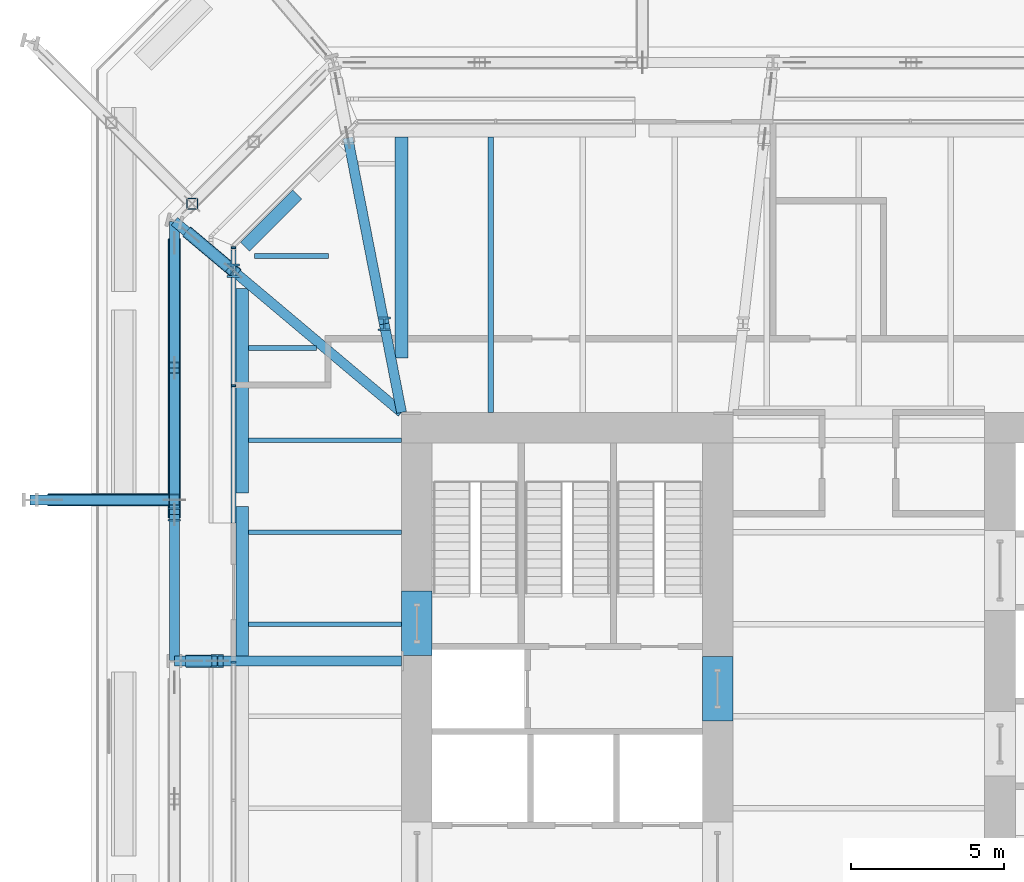
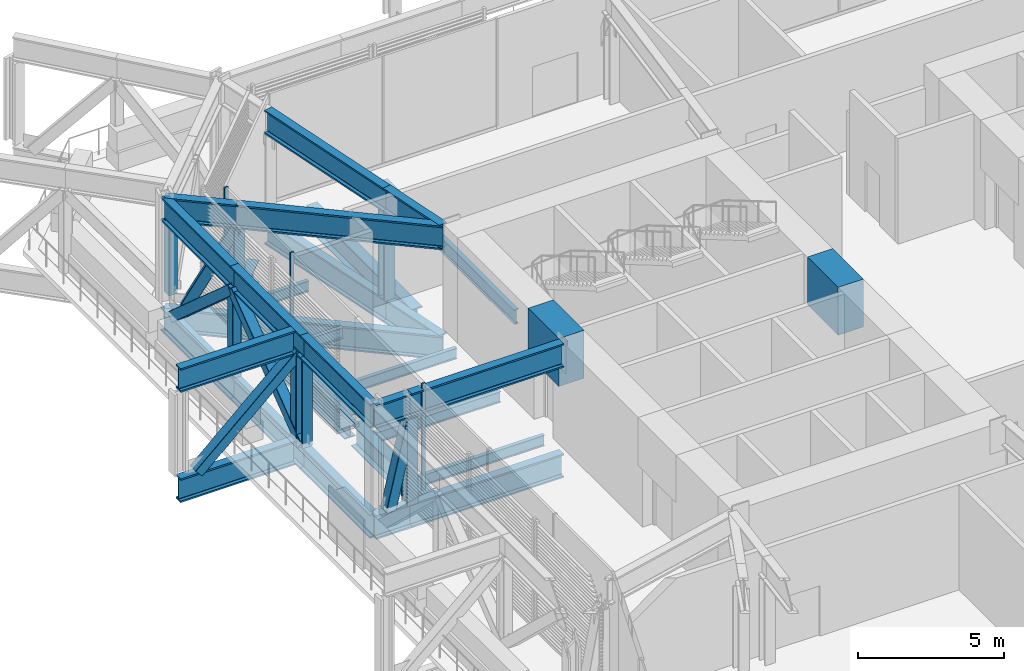
# One storey, part 11 of 29: 32 beams, 16 members, 1 element without a shape of its own.
"""IFC4 building model written with IfcOpenShell, lengths in metres."""

from ifc_helpers import new_model, si_unit, direction, frame, origin, origin_2d, place, context, subcontext, project, spatial, rectangle, hollow_rectangle, i_section, extrude, material, layer, layer_set, material_profile, profile_set, type_object, element, aggregate, save


model = new_model("IFC4")

# Units and contexts
model_context = context("Model", 3, precision=1e-05, world=origin(), true_north=direction((0.0, 1.0)))
body_context = subcontext(model_context, "Body", "Model", "MODEL_VIEW")
ifc_project = project(units=[si_unit("LENGTHUNIT", "METRE"), si_unit("AREAUNIT", "SQUARE_METRE"), si_unit("VOLUMEUNIT", "CUBIC_METRE"), si_unit("PLANEANGLEUNIT", "RADIAN"), si_unit("MASSUNIT", "GRAM", prefix="KILO")], contexts=[model_context])

# Site, building, storey
site_placement = place(None, origin())
site = spatial("IfcSite", under=ifc_project, at=site_placement, CompositionType="ELEMENT")
building_placement = place(site_placement, origin())
building = spatial("IfcBuilding", under=site, at=building_placement, Name="Millrace Tower", CompositionType="ELEMENT")
storey_placement = place(building_placement, frame((0.0, 0.0, 68.60009765625)))
storey = spatial("IfcBuildingStorey", under=building, at=storey_placement, Name="L15", CompositionType="ELEMENT", Elevation=68.60009765625)

# Curtain wall, members
ifc_material_1 = material(Name="Aluminium and glass", Category="aluminium")
ifc_layer = layer(ifc_material_1, 0.14990234375)
ifc_layer_set = layer_set([ifc_layer], Name="Aluminium and glass")
curtain_wall_type = type_object("IfcCurtainWallType", Name="CW-5 truss and plant storey louvred infill", PredefinedType="NOTDEFINED", material=ifc_layer_set)
curtain_wall_placement = place(storey_placement, origin())
curtain_wall = element("IfcCurtainWall", 1, at=curtain_wall_placement, inside=storey, type_object=curtain_wall_type, Name="Curtain wall B-F08 L15", PredefinedType="NOTDEFINED")
ifc_material_2 = material(Name="Aluminium", Category="aluminium")
ifc_material_profile_1 = material_profile(ifc_material_2, rectangle(XDim=0.06494140625, YDim=0.14990234375, at=origin_2d()))
ifc_profile_set_1 = profile_set([ifc_material_profile_1], Name="Aluminium")
member_type_1 = type_object("IfcMemberType", Name="CW-5 truss and plant storey louvred infill mullion", PredefinedType="MULLION", material=ifc_profile_set_1)
member_1_placement = place(storey_placement, frame((-20.375, 15.267578125, 0.139892578125), z_axis=(0.0, 0.0, 1.0), x_axis=(0.0, -1.0, 0.0)))
member_1 = element("IfcMember", 2, at=member_1_placement, type_object=member_type_1, Name="CW5 mullion B-F08.1", PredefinedType="MULLION", context=body_context, shape_type="SweptSolid", body=[
    extrude(rectangle(XDim=0.06494140625, YDim=0.14990234375, at=origin_2d()), origin(), (0.0, 0.0, 1.0), 4.4599609375),
])
member_2_placement = place(storey_placement, frame((-20.375, 10.767578125, 0.139892578125), z_axis=(0.0, 0.0, 1.0), x_axis=(0.0, -1.0, 0.0)))
member_2 = element("IfcMember", 3, at=member_2_placement, type_object=member_type_1, Name="CW5 mullion B-F08.2", PredefinedType="MULLION", context=body_context, shape_type="SweptSolid", body=[
    extrude(rectangle(XDim=0.06494140625, YDim=0.14990234375, at=origin_2d()), origin(), (0.0, 0.0, 1.0), 4.4599609375),
])
member_3_placement = place(storey_placement, frame((-20.375, 1.767578125, 0.139892578125), z_axis=(0.0, 0.0, 1.0), x_axis=(0.0, -1.0, 0.0)))
member_3 = element("IfcMember", 4, at=member_3_placement, type_object=member_type_1, Name="CW5 mullion B-F08.4", PredefinedType="MULLION", context=body_context, shape_type="SweptSolid", body=[
    extrude(rectangle(XDim=0.06494140625, YDim=0.14990234375, at=origin_2d()), origin(), (0.0, 0.0, 1.0), 4.4599609375),
])
ifc_material_3 = material(Name="Aluminium", Category="aluminium")
ifc_material_profile_2 = material_profile(ifc_material_3, rectangle(XDim=0.14990234375, YDim=0.139892578125, at=origin_2d()))
ifc_profile_set_2 = profile_set([ifc_material_profile_2], Name="Aluminium")
member_type_2 = type_object("IfcMemberType", Name="CW-5 truss and plant storey louvred infill transom", PredefinedType="USERDEFINED", material=ifc_profile_set_2)
member_4_placement = place(storey_placement, frame((-20.375, 15.199951171875, 0.06982421875), z_axis=(0.0, -1.0, 0.0), x_axis=(1.0, 0.0, 0.0)))
member_4 = element("IfcMember", 5, at=member_4_placement, type_object=member_type_2, Name="CW5 transom B-F08.1", ObjectType="TRANSOM", PredefinedType="USERDEFINED", context=body_context, shape_type="SweptSolid", body=[
    extrude(rectangle(XDim=0.14990234375, YDim=0.139892578125, at=origin_2d()), origin(), (0.0, 0.0, 1.0), 8.89990234375),
])
aggregate(curtain_wall, [member_1, member_2, member_3, member_4])

# Beams
ifc_material_4 = material(Name="Concrete C80", Category="concrete")
ifc_material_profile_3 = material_profile(ifc_material_4, rectangle(XDim=1.0, YDim=2.0, at=origin_2d()))
ifc_profile_set_3 = profile_set([ifc_material_profile_3], Name="Concrete C80")
beam_type_1 = type_object("IfcBeamType", Name="Coupling beam 1000 x 2000 Concrete C80, 1300 opening", PredefinedType="BEAM", material=ifc_profile_set_3)
beam_1_placement = place(storey_placement, frame((-14.39990234375, 1.97998046875, 3.39990234375), z_axis=(0.0, 1.0, 0.0), x_axis=(-1.0, 0.0, 0.0)))
element("IfcBeam", 6, at=beam_1_placement, inside=storey, type_object=beam_type_1, Name="Coupling beam W L15", PredefinedType="BEAM", context=body_context, shape_type="SweptSolid", body=[
    extrude(rectangle(XDim=1.0, YDim=2.0, at=origin_2d()), origin(), (0.0, 0.0, 1.0), 2.10009765625),
])
beam_2_placement = place(storey_placement, frame((-4.60009765625, -0.14990234375, 3.39990234375), z_axis=(0.0, 1.0, 0.0), x_axis=(-1.0, 0.0, 0.0)))
element("IfcBeam", 7, at=beam_2_placement, inside=storey, type_object=beam_type_1, Name="Coupling beam W L15", PredefinedType="BEAM", context=body_context, shape_type="SweptSolid", body=[
    extrude(rectangle(XDim=1.0, YDim=2.0, at=origin_2d()), origin(), (0.0, 0.0, 1.0), 2.099853515625),
])
ifc_material_5 = material(Name="Steel ASTM A992 Grade 50", Category="steel")
ifc_material_profile_4 = material_profile(ifc_material_5, i_section(OverallWidth=0.15234375, OverallDepth=0.449462890625, WebThickness=0.007568359375, FlangeThickness=0.0107421875, FilletRadius=0.01025390625, at=origin_2d()))
ifc_profile_set_4 = profile_set([ifc_material_profile_4], Name="Steel ASTM A992 Grade 50")
beam_type_2 = type_object("IfcBeamType", Name="Floor beam W18x35", PredefinedType="JOIST", material=ifc_profile_set_4)
for number, where, z_axis, x_axis, name in (
    (8, (-19.880859375, 3.0, -0.4248046875), (1.0, 0.0, 0.0), (0.0, 1.0, 0.0), "BM-B-L15-S1-S026"),
    (9, (-19.880859375, 6.0, -0.4248046875), (1.0, 0.0, 0.0), (0.0, 1.0, 0.0), "BM-B-L15-S1-S029"),
    (10, (-19.880859375, 9.0, -0.4248046875), (1.0, 0.0, 0.0), (0.0, 1.0, 0.0), "BM-B-L15-S1-S032"),
):
    element("IfcBeam", number, at=place(storey_placement, frame(where, z_axis=z_axis, x_axis=x_axis)), inside=storey, type_object=beam_type_2, Name=name, PredefinedType="JOIST", context=body_context, shape_type="SweptSolid", body=[
        extrude(i_section(OverallWidth=0.15234375, OverallDepth=0.449462890625, WebThickness=0.007568359375, FlangeThickness=0.0107421875, FilletRadius=0.01025390625, at=origin_2d()), origin(), (0.0, 0.0, 1.0), 4.98095703125),
    ])
beam_3_placement = place(storey_placement, frame((-19.68798828125, 15.0, -0.4248046875), z_axis=(1.0, 0.0, 0.0), x_axis=(0.0, 1.0, 0.0)))
element("IfcBeam", 11, at=beam_3_placement, inside=storey, type_object=beam_type_2, Name="BM-B-L15-S1-S036-a", PredefinedType="JOIST", context=body_context, shape_type="SweptSolid", body=[
    extrude(i_section(OverallWidth=0.15234375, OverallDepth=0.449462890625, WebThickness=0.007568359375, FlangeThickness=0.0107421875, FilletRadius=0.01025390625, at=origin_2d()), origin(), (0.0, 0.0, 1.0), 2.406005859375),
])
beam_4_placement = place(storey_placement, frame((-19.880859375, 12.0, -0.4248046875), z_axis=(1.0, 0.0, 0.0), x_axis=(0.0, 1.0, 0.0)))
element("IfcBeam", 12, at=beam_4_placement, inside=storey, type_object=beam_type_2, Name="BM-B-L15-S1-S034", PredefinedType="JOIST", context=body_context, shape_type="SweptSolid", body=[
    extrude(i_section(OverallWidth=0.15234375, OverallDepth=0.449462890625, WebThickness=0.007568359375, FlangeThickness=0.0107421875, FilletRadius=0.01025390625, at=origin_2d()), origin(), (0.0, 0.0, 1.0), 2.21533203125),
])
ifc_material_6 = material(Name="Steel ASTM A992 Grade 50", Category="steel")
ifc_material_profile_5 = material_profile(ifc_material_6, i_section(OverallWidth=0.177978515625, OverallDepth=0.599365234375, WebThickness=0.010009765625, FlangeThickness=0.012939453125, FilletRadius=0.012939453125, at=origin_2d()))
ifc_profile_set_5 = profile_set([ifc_material_profile_5], Name="Steel ASTM A992 Grade 50")
beam_type_3 = type_object("IfcBeamType", Name="Floor beam W24x55", PredefinedType="JOIST", material=ifc_profile_set_5)
beam_5_placement = place(storey_placement, frame((-12.0, 9.89990234375, -0.499755859375), z_axis=(0.0, 1.0, 0.0), x_axis=(-1.0, 0.0, 0.0)))
element("IfcBeam", 13, at=beam_5_placement, inside=storey, type_object=beam_type_3, Name="BM-B-L15-S1-S040", PredefinedType="JOIST", context=body_context, shape_type="SweptSolid", body=[
    extrude(i_section(OverallWidth=0.177978515625, OverallDepth=0.599365234375, WebThickness=0.010009765625, FlangeThickness=0.012939453125, FilletRadius=0.012939453125, at=origin_2d()), origin(), (0.0, 0.0, 1.0), 8.98095703125),
])
ifc_material_7 = material(Name="Steel ASTM A992 Grade 50", Category="steel")
ifc_material_profile_6 = material_profile(ifc_material_7, i_section(OverallWidth=0.421630859375, OverallDepth=0.937255859375, WebThickness=0.021240234375, FlangeThickness=0.03662109375, FilletRadius=0.024169921875, at=origin_2d()))
ifc_profile_set_6 = profile_set([ifc_material_profile_6], Name="Steel ASTM A992 Grade 50")
beam_type_4 = type_object("IfcBeamType", Name="Girder short span W36x262", PredefinedType="BEAM", material=ifc_profile_set_6)
beam_6_placement = place(storey_placement, frame((-14.89990234375, 11.671142578125, -0.668701171875), z_axis=(0.0, 1.0, 0.0), x_axis=(-1.0, 0.0, 0.0)))
element("IfcBeam", 14, at=beam_6_placement, inside=storey, type_object=beam_type_4, Name="BM-B-L15-S1-G058", PredefinedType="BEAM", context=body_context, shape_type="SweptSolid", body=[
    extrude(i_section(OverallWidth=0.421630859375, OverallDepth=0.937255859375, WebThickness=0.021240234375, FlangeThickness=0.03662109375, FilletRadius=0.024169921875, at=origin_2d()), origin(), (0.0, 0.0, 1.0), 7.209716796875),
])
ifc_material_8 = material(Name="Steel ASTM A992 Grade 50", Category="steel")
ifc_material_profile_7 = material_profile(ifc_material_8, i_section(OverallWidth=0.419189453125, OverallDepth=0.927001953125, WebThickness=0.019287109375, FlangeThickness=0.031982421875, FilletRadius=0.024169921875, at=origin_2d()))
ifc_profile_set_7 = profile_set([ifc_material_profile_7], Name="Steel ASTM A992 Grade 50")
beam_type_5 = type_object("IfcBeamType", Name="Ring beam short span W36x231", PredefinedType="SPANDREL", material=ifc_profile_set_7)
beam_7_placement = place(storey_placement, frame((-20.001953125, 15.301513671875, -0.66357421875), z_axis=(0.70705598511, 0.707157573614, 0.0), x_axis=(-0.707157573614, 0.70705598511, 0.0)))
element("IfcBeam", 15, at=beam_7_placement, inside=storey, type_object=beam_type_5, Name="RNG-B-L15-S1-04-a", PredefinedType="SPANDREL", context=body_context, shape_type="SweptSolid", body=[
    extrude(i_section(OverallWidth=0.419189453125, OverallDepth=0.927001953125, WebThickness=0.019287109375, FlangeThickness=0.031982421875, FilletRadius=0.024169921875, at=origin_2d()), origin(), (0.0, 0.0, 1.0), 2.4033203125),
])
beam_8_placement = place(storey_placement, frame((-20.09033203125, 1.961181640625, -0.66357421875), z_axis=(0.0, 1.0, 0.0), x_axis=(-1.0, 0.0, 0.0)))
element("IfcBeam", 16, at=beam_8_placement, inside=storey, type_object=beam_type_5, Name="RNG-B-L15-S1-03-a", PredefinedType="SPANDREL", context=body_context, shape_type="SweptSolid", body=[
    extrude(i_section(OverallWidth=0.419189453125, OverallDepth=0.927001953125, WebThickness=0.019287109375, FlangeThickness=0.031982421875, FilletRadius=0.024169921875, at=origin_2d()), origin(), (0.0, 0.0, 1.0), 4.868896484375),
])
beam_9_placement = place(storey_placement, frame((-20.09033203125, 7.27001953125, -0.66357421875), z_axis=(0.0, 1.0, 0.0), x_axis=(-1.0, 0.0, 0.0)))
element("IfcBeam", 17, at=beam_9_placement, inside=storey, type_object=beam_type_5, Name="RNG-B-L15-S1-03-b", PredefinedType="SPANDREL", context=body_context, shape_type="SweptSolid", body=[
    extrude(i_section(OverallWidth=0.419189453125, OverallDepth=0.927001953125, WebThickness=0.019287109375, FlangeThickness=0.031982421875, FilletRadius=0.024169921875, at=origin_2d()), origin(), (0.0, 0.0, 1.0), 6.671875),
])

# Members
ifc_material_9 = material(Name="Steel ASTM A992 Grade 50", Category="steel")
ifc_material_profile_8 = material_profile(ifc_material_9, i_section(OverallWidth=0.411376953125, OverallDepth=0.434326171875, WebThickness=0.035888671875, FlangeThickness=0.057373046875, FilletRadius=0.01513671875, at=origin_2d()))
ifc_profile_set_8 = profile_set([ifc_material_profile_8], Name="Steel ASTM A992 Grade 50")
member_type_3 = type_object("IfcMemberType", Name="Transfer truss Vierendeel moment post W14x311", PredefinedType="POST", material=ifc_profile_set_8)
for number, where, z_axis, x_axis, name in (
    (18, (-22.300048828125, 6.576171875, -0.2001953125), (0.0, 0.0, 1.0), (1.0, 0.0, 0.0), "TRS-L15-R14-V02"),
    (19, (-15.464111328125, 12.785400390625, -0.2001953125), (0.0, 0.0, 1.0), (1.0, 0.0, 0.0), "TRS-L15-C13-V02"),
    (20, (-20.38720703125, 14.5185546875, -0.2001953125), (0.0, 0.0, 1.0), (1.0, 0.0, 0.0), "TRS-L15-C14-V01"),
    (21, (-20.89990234375, 1.800048828125, -0.2001953125), (0.0, 0.0, 1.0), (1.0, 0.0, 0.0), "TRS-L15-C15-V01"),
):
    element("IfcMember", number, at=place(storey_placement, frame(where, z_axis=z_axis, x_axis=x_axis)), inside=storey, type_object=member_type_3, Name=name, PredefinedType="POST", context=body_context, shape_type="SweptSolid", body=[
        extrude(i_section(OverallWidth=0.411376953125, OverallDepth=0.434326171875, WebThickness=0.035888671875, FlangeThickness=0.057373046875, FilletRadius=0.01513671875, at=origin_2d()), origin(), (0.0, 0.0, 1.0), 3.60693359375),
    ])

# Beams
ifc_material_10 = material(Name="Steel ASTM A992 Grade 50", Category="steel")
ifc_material_profile_9 = material_profile(ifc_material_10, i_section(OverallWidth=0.322509765625, OverallDepth=0.9931640625, WebThickness=0.0361328125, FlangeThickness=0.06494140625, FilletRadius=0.01904296875, at=origin_2d()))
ifc_profile_set_9 = profile_set([ifc_material_profile_9], Name="Steel ASTM A992 Grade 50")
beam_type_6 = type_object("IfcBeamType", Name="Transfer truss chord W36x387", PredefinedType="BEAM", material=ifc_profile_set_9)
for number, where, z_axis, x_axis, name in (
    (22, (-22.300048828125, 16.12841796875, -0.69677734375), (0.0, -1.0, 0.0), (1.0, 0.0, 0.0), "TRS-L15-R14-B01"),
    (23, (-22.300048828125, 16.12841796875, 3.9033203125), (0.0, -1.0, 0.0), (1.0, 0.0, 0.0), "TRS-L15-R14-T01"),
    (24, (-22.300048828125, 11.352294921875, -0.69677734375), (0.0, -1.0, 0.0), (1.0, 0.0, 0.0), "TRS-L15-R14-B02"),
    (25, (-22.300048828125, 11.352294921875, 3.9033203125), (0.0, -1.0, 0.0), (1.0, 0.0, 0.0), "TRS-L15-R14-T02"),
    (26, (-22.300048828125, 6.576171875, -0.69677734375), (0.0, -1.0, 0.0), (1.0, 0.0, 0.0), "TRS-L15-R14-B03"),
    (27, (-22.300048828125, 6.576171875, 3.9033203125), (0.0, -1.0, 0.0), (1.0, 0.0, 0.0), "TRS-L15-R14-T03"),
):
    element("IfcBeam", number, at=place(storey_placement, frame(where, z_axis=z_axis, x_axis=x_axis)), inside=storey, type_object=beam_type_6, Name=name, PredefinedType="BEAM", context=body_context, shape_type="SweptSolid", body=[
        extrude(i_section(OverallWidth=0.322509765625, OverallDepth=0.9931640625, WebThickness=0.0361328125, FlangeThickness=0.06494140625, FilletRadius=0.01904296875, at=origin_2d()), origin(), (0.0, 0.0, 1.0), 4.776123046875),
    ])
for number, where, z_axis, x_axis, name in (
    (28, (-16.64892578125, 18.846435546875, -0.69677734375), (0.191849372727, -0.981424382306, 0.0), (0.981424382306, 0.191849372727, 0.0), "TRS-L15-C13-B02"),
    (29, (-16.64892578125, 18.846435546875, 3.9033203125), (0.191849372727, -0.981424382306, 0.0), (0.981424382306, 0.191849372727, 0.0), "TRS-L15-C13-T02"),
):
    element("IfcBeam", number, at=place(storey_placement, frame(where, z_axis=z_axis, x_axis=x_axis)), inside=storey, type_object=beam_type_6, Name=name, PredefinedType="BEAM", context=body_context, shape_type="SweptSolid", body=[
        extrude(i_section(OverallWidth=0.322509765625, OverallDepth=0.9931640625, WebThickness=0.0361328125, FlangeThickness=0.06494140625, FilletRadius=0.01904296875, at=origin_2d()), origin(), (0.0, 0.0, 1.0), 6.17578125),
    ])
for number, where, z_axis, x_axis, name in (
    (30, (-15.464111328125, 12.785400390625, -0.69677734375), (0.191898596125, -0.981414758807, 0.0), (0.981414758807, 0.191898596125, 0.0), "TRS-L15-C13-B03"),
    (31, (-15.464111328125, 12.785400390625, 3.9033203125), (0.191898596125, -0.981414758807, 0.0), (0.981414758807, 0.191898596125, 0.0), "TRS-L15-C13-T03"),
):
    element("IfcBeam", number, at=place(storey_placement, frame(where, z_axis=z_axis, x_axis=x_axis)), inside=storey, type_object=beam_type_6, Name=name, PredefinedType="BEAM", context=body_context, shape_type="SweptSolid", body=[
        extrude(i_section(OverallWidth=0.322509765625, OverallDepth=0.9931640625, WebThickness=0.0361328125, FlangeThickness=0.06494140625, FilletRadius=0.01904296875, at=origin_2d()), origin(), (0.0, 0.0, 1.0), 2.940185546875),
    ])
for number, where, z_axis, x_axis, name in (
    (32, (-22.300048828125, 16.12841796875, -0.69677734375), (0.765098555105, -0.643913193665, 0.0), (0.643913193665, 0.765098555105, 0.0), "TRS-L15-C14-B01"),
    (33, (-22.300048828125, 16.12841796875, 3.9033203125), (0.765098555105, -0.643913193665, 0.0), (0.643913193665, 0.765098555105, 0.0), "TRS-L15-C14-T01"),
):
    element("IfcBeam", number, at=place(storey_placement, frame(where, z_axis=z_axis, x_axis=x_axis)), inside=storey, type_object=beam_type_6, Name=name, PredefinedType="BEAM", context=body_context, shape_type="SweptSolid", body=[
        extrude(i_section(OverallWidth=0.322509765625, OverallDepth=0.9931640625, WebThickness=0.0361328125, FlangeThickness=0.06494140625, FilletRadius=0.01904296875, at=origin_2d()), origin(), (0.0, 0.0, 1.0), 2.500244140625),
    ])
for number, where, z_axis, x_axis, name in (
    (34, (-20.38720703125, 14.5185546875, -0.69677734375), (0.76506476648, -0.643953339218, 0.0), (0.643953339218, 0.76506476648, 0.0), "TRS-L15-C14-B02"),
    (35, (-20.38720703125, 14.5185546875, 3.9033203125), (0.76506476648, -0.643953339218, 0.0), (0.643953339218, 0.76506476648, 0.0), "TRS-L15-C14-T02"),
):
    element("IfcBeam", number, at=place(storey_placement, frame(where, z_axis=z_axis, x_axis=x_axis)), inside=storey, type_object=beam_type_6, Name=name, PredefinedType="BEAM", context=body_context, shape_type="SweptSolid", body=[
        extrude(i_section(OverallWidth=0.322509765625, OverallDepth=0.9931640625, WebThickness=0.0361328125, FlangeThickness=0.06494140625, FilletRadius=0.01904296875, at=origin_2d()), origin(), (0.0, 0.0, 1.0), 7.17236328125),
    ])
for number, where, z_axis, x_axis, name in (
    (36, (-22.300048828125, 1.800048828125, -0.69677734375), (1.0, 0.0, 0.0), (0.0, 1.0, 0.0), "TRS-L15-C15-B01"),
    (37, (-22.300048828125, 1.800048828125, 3.9033203125), (1.0, 0.0, 0.0), (0.0, 1.0, 0.0), "TRS-L15-C15-T01"),
):
    element("IfcBeam", number, at=place(storey_placement, frame(where, z_axis=z_axis, x_axis=x_axis)), inside=storey, type_object=beam_type_6, Name=name, PredefinedType="BEAM", context=body_context, shape_type="SweptSolid", body=[
        extrude(i_section(OverallWidth=0.322509765625, OverallDepth=0.9931640625, WebThickness=0.0361328125, FlangeThickness=0.06494140625, FilletRadius=0.01904296875, at=origin_2d()), origin(), (0.0, 0.0, 1.0), 1.400146484375),
    ])
for number, where, z_axis, x_axis, name in (
    (38, (-20.89990234375, 1.800048828125, -0.69677734375), (1.0, 0.0, 0.0), (0.0, 1.0, 0.0), "TRS-L15-C15-B02"),
    (39, (-20.89990234375, 1.800048828125, 3.9033203125), (1.0, 0.0, 0.0), (0.0, 1.0, 0.0), "TRS-L15-C15-T02"),
):
    element("IfcBeam", number, at=place(storey_placement, frame(where, z_axis=z_axis, x_axis=x_axis)), inside=storey, type_object=beam_type_6, Name=name, PredefinedType="BEAM", context=body_context, shape_type="SweptSolid", body=[
        extrude(i_section(OverallWidth=0.322509765625, OverallDepth=0.9931640625, WebThickness=0.0361328125, FlangeThickness=0.06494140625, FilletRadius=0.01904296875, at=origin_2d()), origin(), (0.0, 0.0, 1.0), 6.0),
    ])
for number, where, z_axis, x_axis, name in (
    (40, (-27.0, 7.050048828125, -0.69677734375), (1.0, 0.0, 0.0), (0.0, 1.0, 0.0), "TRS-L15-B-A-X15-B01"),
    (41, (-27.0, 7.050048828125, 3.9033203125), (1.0, 0.0, 0.0), (0.0, 1.0, 0.0), "TRS-L15-B-A-X15-T01"),
):
    element("IfcBeam", number, at=place(storey_placement, frame(where, z_axis=z_axis, x_axis=x_axis)), inside=storey, type_object=beam_type_6, Name=name, PredefinedType="BEAM", context=body_context, shape_type="SweptSolid", body=[
        extrude(i_section(OverallWidth=0.322509765625, OverallDepth=0.9931640625, WebThickness=0.0361328125, FlangeThickness=0.06494140625, FilletRadius=0.01904296875, at=origin_2d()), origin(), (0.0, 0.0, 1.0), 4.538818359375),
    ])

# Members
ifc_material_11 = material(Name="Steel ASTM A500 Grade C", Category="steel")
ifc_material_profile_10 = material_profile(ifc_material_11, hollow_rectangle(XDim=0.406494140625, YDim=0.406494140625, WallThickness=0.015869140625, InnerFilletRadius=0.008056640625, OuterFilletRadius=0.02392578125, at=origin_2d()))
ifc_profile_set_10 = profile_set([ifc_material_profile_10], Name="Steel ASTM A500 Grade C")
member_type_4 = type_object("IfcMemberType", Name="Transfer truss diagonal HSS16x16x5/8", PredefinedType="BRACE", material=ifc_profile_set_10)
member_5_placement = place(storey_placement, frame((-22.300048828125, 15.428466796875, -0.2001953125), z_axis=(0.0, -0.748897240511, 0.662686142268), x_axis=(1.0, 0.0, 0.0)))
element("IfcMember", 42, at=member_5_placement, inside=storey, type_object=member_type_4, Name="TRS-L15-R14-D01", PredefinedType="BRACE", context=body_context, shape_type="SweptSolid", body=[
    extrude(hollow_rectangle(XDim=0.406494140625, YDim=0.406494140625, WallThickness=0.015869140625, InnerFilletRadius=0.008056640625, OuterFilletRadius=0.02392578125, at=origin_2d()), origin(), (0.0, 0.0, 1.0), 5.44287109375),
])
member_6_placement = place(storey_placement, frame((-22.300048828125, 6.576171875, -0.2001953125), z_axis=(0.0, 0.798003334985, 0.60265303231), x_axis=(-1.0, 0.0, 0.0)))
element("IfcMember", 43, at=member_6_placement, inside=storey, type_object=member_type_4, Name="TRS-L15-R14-D02", PredefinedType="BRACE", context=body_context, shape_type="SweptSolid", body=[
    extrude(hollow_rectangle(XDim=0.406494140625, YDim=0.406494140625, WallThickness=0.015869140625, InnerFilletRadius=0.008056640625, OuterFilletRadius=0.02392578125, at=origin_2d()), origin(), (0.0, 0.0, 1.0), 5.985107421875),
])
member_7_placement = place(storey_placement, frame((-21.764404296875, 15.677734375, -0.2001953125), z_axis=(0.341637022646, -0.287554083234, 0.894760746777), x_axis=(0.643951961739, 0.765065925899, 0.0)))
element("IfcMember", 44, at=member_7_placement, inside=storey, type_object=member_type_4, Name="TRS-L15-C14-D01", PredefinedType="BRACE", context=body_context, shape_type="SweptSolid", body=[
    extrude(hollow_rectangle(XDim=0.406494140625, YDim=0.406494140625, WallThickness=0.015869140625, InnerFilletRadius=0.008056640625, OuterFilletRadius=0.02392578125, at=origin_2d()), origin(), (0.0, 0.0, 1.0), 4.03125),
])
member_8_placement = place(storey_placement, frame((-21.739990234375, 1.800048828125, -0.2001953125), z_axis=(0.226837815942, 0.0, 0.973932546565), x_axis=(0.0, 1.0, 0.0)))
element("IfcMember", 45, at=member_8_placement, inside=storey, type_object=member_type_4, Name="TRS-L15-C15-D01", PredefinedType="BRACE", context=body_context, shape_type="SweptSolid", body=[
    extrude(hollow_rectangle(XDim=0.406494140625, YDim=0.406494140625, WallThickness=0.015869140625, InnerFilletRadius=0.008056640625, OuterFilletRadius=0.02392578125, at=origin_2d()), origin(), (0.0, 0.0, 1.0), 3.703369140625),
])
member_9_placement = place(storey_placement, frame((-26.300048828125, 7.050048828125, -0.2001953125), z_axis=(0.742653704711, 0.0, 0.669675649011), x_axis=(0.0, 1.0, 0.0)))
element("IfcMember", 46, at=member_9_placement, inside=storey, type_object=member_type_4, Name="TRS-L15-B-A-X15-D01", PredefinedType="BRACE", context=body_context, shape_type="SweptSolid", body=[
    extrude(hollow_rectangle(XDim=0.406494140625, YDim=0.406494140625, WallThickness=0.015869140625, InnerFilletRadius=0.008056640625, OuterFilletRadius=0.02392578125, at=origin_2d()), origin(), (0.0, 0.0, 1.0), 5.385986328125),
])
ifc_material_12 = material(Name="Steel ASTM A500 Grade C", Category="steel")
ifc_material_profile_11 = material_profile(ifc_material_12, hollow_rectangle(XDim=0.355712890625, YDim=0.355712890625, WallThickness=0.015869140625, InnerFilletRadius=0.008056640625, OuterFilletRadius=0.02392578125, at=origin_2d()))
ifc_profile_set_11 = profile_set([ifc_material_profile_11], Name="Steel ASTM A500 Grade C")
member_type_5 = type_object("IfcMemberType", Name="Transfer truss post HSS14x14x5/8", PredefinedType="POST", material=ifc_profile_set_11)
for number, where, z_axis, x_axis, name in (
    (47, (-22.300048828125, 11.352294921875, -0.2001953125), (0.0, 0.0, 1.0), (1.0, 0.0, 0.0), "TRS-L15-R14-V01"),
    (48, (-21.72509765625, 16.703369140625, -0.2001953125), (0.0, 0.0, 1.0), (1.0, 0.0, 0.0), "TRS-L15-B-A-X14-V02"),
    (49, (-22.300048828125, 7.050048828125, -0.2001953125), (0.0, 0.0, 1.0), (1.0, 0.0, 0.0), "TRS-L15-B-A-X15-V01"),
):
    element("IfcMember", number, at=place(storey_placement, frame(where, z_axis=z_axis, x_axis=x_axis)), inside=storey, type_object=member_type_5, Name=name, PredefinedType="POST", context=body_context, shape_type="SweptSolid", body=[
        extrude(hollow_rectangle(XDim=0.355712890625, YDim=0.355712890625, WallThickness=0.015869140625, InnerFilletRadius=0.008056640625, OuterFilletRadius=0.02392578125, at=origin_2d()), origin(), (0.0, 0.0, 1.0), 3.60693359375),
    ])

save(model, "model.ifc")
